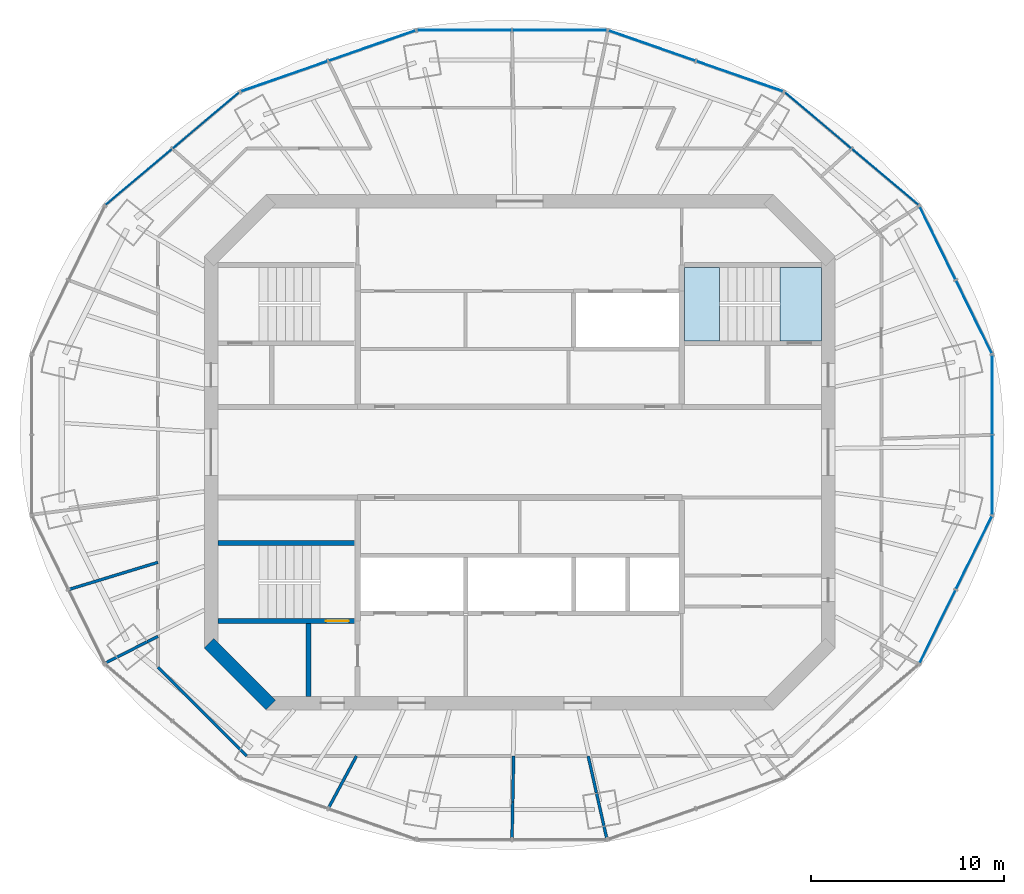
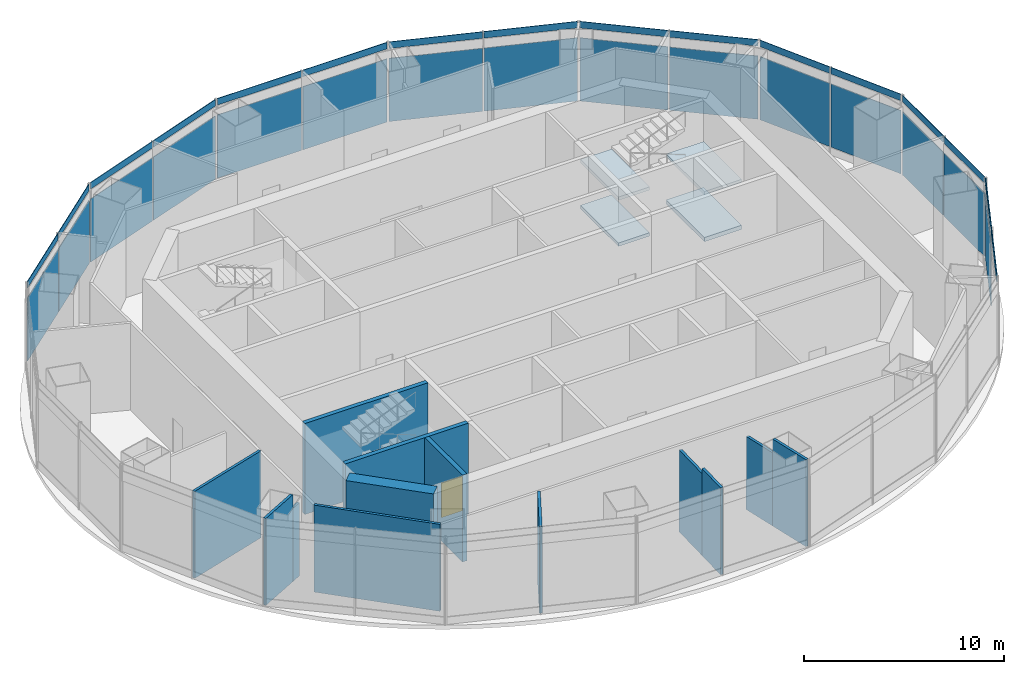
# One storey, part 8 of 13: 31 plates, 13 walls, 4 slabs, 1 door, 1 opening, 17 elements without a shape of their own.
"""IFC4 building model written with IfcOpenShell, lengths in metres."""

from ifc_helpers import new_model, si_unit, direction, frame, frame_2d, origin, origin_2d, place, context, subcontext, project, spatial, polyline, rectangle, outline, extrude, material, layer, layer_set, type_object, element, fill, aggregate, save


model = new_model("IFC4")

# Units and contexts
model_context = context("Model", 3, precision=1e-05, world=origin(), true_north=direction((0.0, 1.0)))
body_context = subcontext(model_context, "Body", "Model", "MODEL_VIEW")
ifc_project = project(units=[si_unit("LENGTHUNIT", "METRE"), si_unit("AREAUNIT", "SQUARE_METRE"), si_unit("VOLUMEUNIT", "CUBIC_METRE"), si_unit("PLANEANGLEUNIT", "RADIAN"), si_unit("MASSUNIT", "GRAM", prefix="KILO")], contexts=[model_context])

# Site, building, storey
site_placement = place(None, origin())
site = spatial("IfcSite", under=ifc_project, at=site_placement, CompositionType="ELEMENT")
building_placement = place(site_placement, origin())
building = spatial("IfcBuilding", under=site, at=building_placement, Name="Marenthal Gate Tower", CompositionType="ELEMENT")
storey_placement = place(building_placement, frame((0.0, 0.0, 401.949951171875)))
storey = spatial("IfcBuildingStorey", under=building, at=storey_placement, Name="L91", CompositionType="ELEMENT", Elevation=401.949951171875)

# Slab
ifc_material_1 = material(Name="Concrete 50 MPa", Category="concrete")
ifc_layer_1 = layer(ifc_material_1, 0.25)
ifc_layer_set_1 = layer_set([ifc_layer_1], Name="Core floor slab 250")
slab_type_1 = type_object("IfcSlabType", Name="Core floor slab 250", PredefinedType="FLOOR", material=ifc_layer_set_1)
slab_1_placement = place(storey_placement, frame((0.0, 0.0, -0.25)))
element("IfcSlab", 1, at=slab_1_placement, inside=storey, type_object=slab_type_1, Name="Core floor L91", PredefinedType="FLOOR", context=body_context, shape_type="SweptSolid", body=[
    extrude(outline(polyline([(15.64990234375, 5.77490234375), (13.5, 5.77490234375), (13.5, 9.574951171875), (15.64990234375, 9.574951171875), (15.64990234375, 5.77490234375)])), origin(), (0.0, 0.0, 1.0), 0.25),
])

# Curtain wall, plates
ifc_material_2 = material(Name="Aluminium and glass", Category="aluminium")
curtain_wall_type_1 = type_object("IfcCurtainWallType", Name="Curtain wall observation", PredefinedType="NOTDEFINED", material=ifc_material_2)
curtain_wall_1_placement = place(storey_placement, origin())
curtain_wall_1 = element("IfcCurtainWall", 2, at=curtain_wall_1_placement, inside=storey, type_object=curtain_wall_type_1, Name="Curtain wall L91 bay 1", PredefinedType="NOTDEFINED")
ifc_material_3 = material(Name="Glass, laminated impact-rated unit", Category="glass")
ifc_layer_2 = layer(ifc_material_3, 0.0400390625)
ifc_layer_set_2 = layer_set([ifc_layer_2], Name="Glass panel 40 observation")
plate_type_1 = type_object("IfcPlateType", Name="Glass panel 40 observation", PredefinedType="CURTAIN_PANEL", material=ifc_layer_set_2)
plate_1_placement = place(storey_placement, frame((23.538330078125, 7.01123046875, 0.449951171875), z_axis=(0.0, 0.0, 1.0), x_axis=(-0.441246798842, 0.897385793576, 0.0)))
plate_1 = element("IfcPlate", 3, at=plate_1_placement, type_object=plate_type_1, Name="Glass panel L91 bay 1.1", PredefinedType="CURTAIN_PANEL", context=body_context, shape_type="SweptSolid", body=[
    extrude(rectangle(XDim=4.194091796875, YDim=0.0400390625, at=origin_2d()), origin(), (0.0, 0.0, 1.0), 3.85009765625),
])
plate_2_placement = place(storey_placement, frame((21.65673828125, 10.837890625, 0.449951171875), z_axis=(0.0, 0.0, 1.0), x_axis=(-0.441246798842, 0.897385793576, 0.0)))
plate_2 = element("IfcPlate", 4, at=plate_2_placement, type_object=plate_type_1, Name="Glass panel L91 bay 1.2", PredefinedType="CURTAIN_PANEL", context=body_context, shape_type="SweptSolid", body=[
    extrude(rectangle(XDim=4.194091796875, YDim=0.0400390625, at=origin_2d()), origin(), (0.0, 0.0, 1.0), 3.85009765625),
])
aggregate(curtain_wall_1, [plate_1, plate_2])

curtain_wall_2_placement = place(storey_placement, origin())
curtain_wall_2 = element("IfcCurtainWall", 5, at=curtain_wall_2_placement, inside=storey, type_object=curtain_wall_type_1, Name="Curtain wall L91 bay 2", PredefinedType="NOTDEFINED")
plate_3_placement = place(storey_placement, frame((18.940673828125, 14.262451171875, 0.449951171875), z_axis=(0.0, 0.0, 1.0), x_axis=(-0.764802142616, 0.644265226944, 0.0)))
plate_3 = element("IfcPlate", 6, at=plate_3_placement, type_object=plate_type_1, Name="Glass panel L91 bay 2.1", PredefinedType="CURTAIN_PANEL", context=body_context, shape_type="SweptSolid", body=[
    extrude(rectangle(XDim=4.477783203125, YDim=0.0400390625, at=origin_2d()), origin(), (0.0, 0.0, 1.0), 3.85009765625),
])
plate_4_placement = place(storey_placement, frame((15.46240234375, 17.1923828125, 0.449951171875), z_axis=(0.0, 0.0, 1.0), x_axis=(-0.764802142616, 0.644265226944, 0.0)))
plate_4 = element("IfcPlate", 7, at=plate_4_placement, type_object=plate_type_1, Name="Glass panel L91 bay 2.2", PredefinedType="CURTAIN_PANEL", context=body_context, shape_type="SweptSolid", body=[
    extrude(rectangle(XDim=4.477783203125, YDim=0.0400390625, at=origin_2d()), origin(), (0.0, 0.0, 1.0), 3.85009765625),
])
aggregate(curtain_wall_2, [plate_3, plate_4])

curtain_wall_3_placement = place(storey_placement, origin())
curtain_wall_3 = element("IfcCurtainWall", 8, at=curtain_wall_3_placement, inside=storey, type_object=curtain_wall_type_1, Name="Curtain wall L91 bay 3", PredefinedType="NOTDEFINED")
plate_5_placement = place(storey_placement, frame((11.39892578125, 19.479736328125, 0.449951171875), z_axis=(0.0, 0.0, 1.0), x_axis=(-0.944171666203, 0.329453888639, 0.0)))
plate_5 = element("IfcPlate", 9, at=plate_5_placement, type_object=plate_type_1, Name="Glass panel L91 bay 3.1", PredefinedType="CURTAIN_PANEL", context=body_context, shape_type="SweptSolid", body=[
    extrude(rectangle(XDim=4.7451171875, YDim=0.0400390625, at=origin_2d()), origin(), (0.0, 0.0, 1.0), 3.85009765625),
])
plate_6_placement = place(storey_placement, frame((6.852783203125, 21.066162109375, 0.449951171875), z_axis=(0.0, 0.0, 1.0), x_axis=(-0.944171666203, 0.329453888639, 0.0)))
plate_6 = element("IfcPlate", 10, at=plate_6_placement, type_object=plate_type_1, Name="Glass panel L91 bay 3.2", PredefinedType="CURTAIN_PANEL", context=body_context, shape_type="SweptSolid", body=[
    extrude(rectangle(XDim=4.7451171875, YDim=0.0400390625, at=origin_2d()), origin(), (0.0, 0.0, 1.0), 3.85009765625),
])
aggregate(curtain_wall_3, [plate_5, plate_6])

curtain_wall_4_placement = place(storey_placement, origin())
curtain_wall_4 = element("IfcCurtainWall", 11, at=curtain_wall_4_placement, inside=storey, type_object=curtain_wall_type_1, Name="Curtain wall L91 bay 4", PredefinedType="NOTDEFINED")
plate_7_placement = place(storey_placement, frame((2.060791015625, 21.869140625, 0.449951171875), z_axis=(0.0, 0.0, 1.0), x_axis=(-1.0, 0.0, 0.0)))
plate_7 = element("IfcPlate", 12, at=plate_7_placement, type_object=plate_type_1, Name="Glass panel L91 bay 4.1", PredefinedType="CURTAIN_PANEL", context=body_context, shape_type="SweptSolid", body=[
    extrude(rectangle(XDim=4.851318359375, YDim=0.0400390625, at=origin_2d()), origin(), (0.0, 0.0, 1.0), 3.85009765625),
])
plate_8_placement = place(storey_placement, frame((-2.860595703125, 21.869140625, 0.449951171875), z_axis=(0.0, 0.0, 1.0), x_axis=(-1.0, 0.0, 0.0)))
plate_8 = element("IfcPlate", 13, at=plate_8_placement, type_object=plate_type_1, Name="Glass panel L91 bay 4.2", PredefinedType="CURTAIN_PANEL", context=body_context, shape_type="SweptSolid", body=[
    extrude(rectangle(XDim=4.851318359375, YDim=0.0400390625, at=origin_2d()), origin(), (0.0, 0.0, 1.0), 3.85009765625),
])
aggregate(curtain_wall_4, [plate_7, plate_8])

curtain_wall_5_placement = place(storey_placement, origin())
curtain_wall_5 = element("IfcCurtainWall", 14, at=curtain_wall_5_placement, inside=storey, type_object=curtain_wall_type_1, Name="Curtain wall L91 bay 5", PredefinedType="NOTDEFINED")
plate_9_placement = place(storey_placement, frame((-7.65283203125, 21.066162109375, 0.449951171875), z_axis=(0.0, 0.0, 1.0), x_axis=(-0.944171666203, -0.329453888639, 0.0)))
plate_9 = element("IfcPlate", 15, at=plate_9_placement, type_object=plate_type_1, Name="Glass panel L91 bay 5.1", PredefinedType="CURTAIN_PANEL", context=body_context, shape_type="SweptSolid", body=[
    extrude(rectangle(XDim=4.7451171875, YDim=0.0400390625, at=origin_2d()), origin(), (0.0, 0.0, 1.0), 3.85009765625),
])
plate_10_placement = place(storey_placement, frame((-12.198974609375, 19.479736328125, 0.449951171875), z_axis=(0.0, 0.0, 1.0), x_axis=(-0.944171666203, -0.329453888639, 0.0)))
plate_10 = element("IfcPlate", 16, at=plate_10_placement, type_object=plate_type_1, Name="Glass panel L91 bay 5.2", PredefinedType="CURTAIN_PANEL", context=body_context, shape_type="SweptSolid", body=[
    extrude(rectangle(XDim=4.7451171875, YDim=0.0400390625, at=origin_2d()), origin(), (0.0, 0.0, 1.0), 3.85009765625),
])
aggregate(curtain_wall_5, [plate_9, plate_10])

curtain_wall_6_placement = place(storey_placement, origin())
curtain_wall_6 = element("IfcCurtainWall", 17, at=curtain_wall_6_placement, inside=storey, type_object=curtain_wall_type_1, Name="Curtain wall L91 bay 6", PredefinedType="NOTDEFINED")
plate_11_placement = place(storey_placement, frame((-16.262451171875, 17.1923828125, 0.449951171875), z_axis=(0.0, 0.0, 1.0), x_axis=(-0.764802142616, -0.644265226944, 0.0)))
plate_11 = element("IfcPlate", 18, at=plate_11_placement, type_object=plate_type_1, Name="Glass panel L91 bay 6.1", PredefinedType="CURTAIN_PANEL", context=body_context, shape_type="SweptSolid", body=[
    extrude(rectangle(XDim=4.477783203125, YDim=0.0400390625, at=origin_2d()), origin(), (0.0, 0.0, 1.0), 3.85009765625),
])
plate_12_placement = place(storey_placement, frame((-19.74072265625, 14.262451171875, 0.449951171875), z_axis=(0.0, 0.0, 1.0), x_axis=(-0.764802142616, -0.644265226944, 0.0)))
plate_12 = element("IfcPlate", 19, at=plate_12_placement, type_object=plate_type_1, Name="Glass panel L91 bay 6.2", PredefinedType="CURTAIN_PANEL", context=body_context, shape_type="SweptSolid", body=[
    extrude(rectangle(XDim=4.477783203125, YDim=0.0400390625, at=origin_2d()), origin(), (0.0, 0.0, 1.0), 3.85009765625),
])
aggregate(curtain_wall_6, [plate_11, plate_12])

# Curtain wall, plate
curtain_wall_7_placement = place(storey_placement, origin())
curtain_wall_7 = element("IfcCurtainWall", 20, at=curtain_wall_7_placement, inside=storey, type_object=curtain_wall_type_1, Name="Curtain wall L91 bay 15", PredefinedType="NOTDEFINED")
plate_13_placement = place(storey_placement, frame((23.538330078125, -5.211181640625, 0.449951171875), z_axis=(0.0, 0.0, 1.0), x_axis=(0.441246798842, 0.897385793576, 0.0)))
plate_13 = element("IfcPlate", 21, at=plate_13_placement, type_object=plate_type_1, Name="Glass panel L91 bay 15.2", PredefinedType="CURTAIN_PANEL", context=body_context, shape_type="SweptSolid", body=[
    extrude(rectangle(XDim=4.194091796875, YDim=0.0400390625, at=origin_2d()), origin(), (0.0, 0.0, 1.0), 3.85009765625),
])
aggregate(curtain_wall_7, [plate_13])

# Curtain wall, plates
curtain_wall_8_placement = place(storey_placement, origin())
curtain_wall_8 = element("IfcCurtainWall", 22, at=curtain_wall_8_placement, inside=storey, type_object=curtain_wall_type_1, Name="Curtain wall L91 bay 16", PredefinedType="NOTDEFINED")
plate_14_placement = place(storey_placement, frame((24.4921875, -1.17041015625, 0.449951171875), z_axis=(0.0, 0.0, 1.0), x_axis=(0.0, 1.0, 0.0)))
plate_14 = element("IfcPlate", 23, at=plate_14_placement, type_object=plate_type_1, Name="Glass panel L91 bay 16.1", PredefinedType="CURTAIN_PANEL", context=body_context, shape_type="SweptSolid", body=[
    extrude(rectangle(XDim=4.071044921875, YDim=0.0400390625, at=origin_2d()), origin(), (0.0, 0.0, 1.0), 3.85009765625),
])
plate_15_placement = place(storey_placement, frame((24.4921875, 2.970458984375, 0.449951171875), z_axis=(0.0, 0.0, 1.0), x_axis=(0.0, 1.0, 0.0)))
plate_15 = element("IfcPlate", 24, at=plate_15_placement, type_object=plate_type_1, Name="Glass panel L91 bay 16.2", PredefinedType="CURTAIN_PANEL", context=body_context, shape_type="SweptSolid", body=[
    extrude(rectangle(XDim=4.071044921875, YDim=0.0400390625, at=origin_2d()), origin(), (0.0, 0.0, 1.0), 3.85009765625),
])
aggregate(curtain_wall_8, [plate_14, plate_15])

# Stair, slabs
ifc_material_4 = material(Name="Concrete 40 MPa", Category="concrete")
stair_type = type_object("IfcStairType", Name="Exit stair 1800", PredefinedType="HALF_TURN_STAIR", material=ifc_material_4)
stair_placement = place(storey_placement, origin())
stair = element("IfcStair", 25, at=stair_placement, inside=storey, type_object=stair_type, Name="Stair ST3", PredefinedType="HALF_TURN_STAIR")
ifc_material_5 = material(Name="Concrete 40 MPa", Category="concrete")
ifc_layer_3 = layer(ifc_material_5, 0.199951171875)
ifc_layer_set_3 = layer_set([ifc_layer_3], Name="Stair landing 200")
slab_type_2 = type_object("IfcSlabType", Name="Stair landing 200", PredefinedType="LANDING", material=ifc_layer_set_3)
slab_2_placement = place(storey_placement, frame((0.0, 0.0, 1.199951171875)))
slab_2 = element("IfcSlab", 26, at=slab_2_placement, type_object=slab_type_2, Name="ST3 landing 1", PredefinedType="LANDING", context=body_context, shape_type="SweptSolid", body=[
    extrude(outline(polyline([(8.550048828125, 5.77490234375), (10.35009765625, 5.77490234375), (10.35009765625, 9.574951171875), (8.550048828125, 9.574951171875), (8.550048828125, 5.77490234375)])), origin(), (0.0, 0.0, 1.0), 0.2001953125),
])
slab_3_placement = place(storey_placement, frame((0.0, 0.0, 2.60009765625)))
slab_3 = element("IfcSlab", 27, at=slab_3_placement, type_object=slab_type_2, Name="ST3 landing 2", PredefinedType="LANDING", context=body_context, shape_type="SweptSolid", body=[
    extrude(outline(polyline([(13.5, 5.77490234375), (15.64990234375, 5.77490234375), (15.64990234375, 9.574951171875), (13.5, 9.574951171875), (13.5, 5.77490234375)])), origin(), (0.0, 0.0, 1.0), 0.199951171875),
])
slab_4_placement = place(storey_placement, frame((0.0, 0.0, 4.0)))
slab_4 = element("IfcSlab", 28, at=slab_4_placement, type_object=slab_type_2, Name="ST3 landing 3", PredefinedType="LANDING", context=body_context, shape_type="SweptSolid", body=[
    extrude(outline(polyline([(8.550048828125, 5.77490234375), (10.35009765625, 5.77490234375), (10.35009765625, 9.574951171875), (8.550048828125, 9.574951171875), (8.550048828125, 5.77490234375)])), origin(), (0.0, 0.0, 1.0), 0.199951171875),
])
aggregate(stair, [slab_2, slab_3, slab_4])

# Curtain wall, plates
ifc_material_6 = material(Name="Aluminium and glass", Category="aluminium")
curtain_wall_type_2 = type_object("IfcCurtainWallType", Name="Curtain wall crown clad", PredefinedType="NOTDEFINED", material=ifc_material_6)
curtain_wall_9_placement = place(storey_placement, origin())
curtain_wall_9 = element("IfcCurtainWall", 29, at=curtain_wall_9_placement, inside=storey, type_object=curtain_wall_type_2, Name="Curtain wall L91 bay 1 head band", PredefinedType="NOTDEFINED")
ifc_material_7 = material(Name="Terracotta cladding panel", Category="masonry")
ifc_layer_4 = layer(ifc_material_7, 0.031982421875)
ifc_layer_set_4 = layer_set([ifc_layer_4], Name="Terracotta panel 32 crown clad")
plate_type_2 = type_object("IfcPlateType", Name="Terracotta panel 32 crown clad", PredefinedType="CURTAIN_PANEL", material=ifc_layer_set_4)
plate_16_placement = place(storey_placement, frame((23.538330078125, 7.01123046875, 4.900146484375), z_axis=(0.0, 0.0, 1.0), x_axis=(-0.441246798842, 0.897385793576, 0.0)))
plate_16 = element("IfcPlate", 30, at=plate_16_placement, type_object=plate_type_2, Name="Terracotta panel L91 bay 1.1 head band", PredefinedType="CURTAIN_PANEL", context=body_context, shape_type="SweptSolid", body=[
    extrude(rectangle(XDim=4.2041015625, YDim=0.031982421875, at=origin_2d()), origin(), (0.0, 0.0, 1.0), 0.39990234375),
])
plate_17_placement = place(storey_placement, frame((21.65673828125, 10.837890625, 4.900146484375), z_axis=(0.0, 0.0, 1.0), x_axis=(-0.441246798842, 0.897385793576, 0.0)))
plate_17 = element("IfcPlate", 31, at=plate_17_placement, type_object=plate_type_2, Name="Terracotta panel L91 bay 1.2 head band", PredefinedType="CURTAIN_PANEL", context=body_context, shape_type="SweptSolid", body=[
    extrude(rectangle(XDim=4.2041015625, YDim=0.031982421875, at=origin_2d()), origin(), (0.0, 0.0, 1.0), 0.39990234375),
])
aggregate(curtain_wall_9, [plate_16, plate_17])

curtain_wall_10_placement = place(storey_placement, origin())
curtain_wall_10 = element("IfcCurtainWall", 32, at=curtain_wall_10_placement, inside=storey, type_object=curtain_wall_type_2, Name="Curtain wall L91 bay 2 head band", PredefinedType="NOTDEFINED")
plate_18_placement = place(storey_placement, frame((18.940673828125, 14.262451171875, 4.900146484375), z_axis=(0.0, 0.0, 1.0), x_axis=(-0.764802142616, 0.644265226944, 0.0)))
plate_18 = element("IfcPlate", 33, at=plate_18_placement, type_object=plate_type_2, Name="Terracotta panel L91 bay 2.1 head band", PredefinedType="CURTAIN_PANEL", context=body_context, shape_type="SweptSolid", body=[
    extrude(rectangle(XDim=4.48779296875, YDim=0.031982421875, at=origin_2d()), origin(), (0.0, 0.0, 1.0), 0.39990234375),
])
plate_19_placement = place(storey_placement, frame((15.46240234375, 17.1923828125, 4.900146484375), z_axis=(0.0, 0.0, 1.0), x_axis=(-0.764802142616, 0.644265226944, 0.0)))
plate_19 = element("IfcPlate", 34, at=plate_19_placement, type_object=plate_type_2, Name="Terracotta panel L91 bay 2.2 head band", PredefinedType="CURTAIN_PANEL", context=body_context, shape_type="SweptSolid", body=[
    extrude(rectangle(XDim=4.48779296875, YDim=0.031982421875, at=origin_2d()), origin(), (0.0, 0.0, 1.0), 0.39990234375),
])
aggregate(curtain_wall_10, [plate_18, plate_19])

curtain_wall_11_placement = place(storey_placement, origin())
curtain_wall_11 = element("IfcCurtainWall", 35, at=curtain_wall_11_placement, inside=storey, type_object=curtain_wall_type_2, Name="Curtain wall L91 bay 3 head band", PredefinedType="NOTDEFINED")
plate_20_placement = place(storey_placement, frame((11.39892578125, 19.479736328125, 4.900146484375), z_axis=(0.0, 0.0, 1.0), x_axis=(-0.944171666203, 0.329453888639, 0.0)))
plate_20 = element("IfcPlate", 36, at=plate_20_placement, type_object=plate_type_2, Name="Terracotta panel L91 bay 3.1 head band", PredefinedType="CURTAIN_PANEL", context=body_context, shape_type="SweptSolid", body=[
    extrude(rectangle(XDim=4.7548828125, YDim=0.031982421875, at=origin_2d()), origin(), (0.0, 0.0, 1.0), 0.39990234375),
])
plate_21_placement = place(storey_placement, frame((6.852783203125, 21.066162109375, 4.900146484375), z_axis=(0.0, 0.0, 1.0), x_axis=(-0.944171666203, 0.329453888639, 0.0)))
plate_21 = element("IfcPlate", 37, at=plate_21_placement, type_object=plate_type_2, Name="Terracotta panel L91 bay 3.2 head band", PredefinedType="CURTAIN_PANEL", context=body_context, shape_type="SweptSolid", body=[
    extrude(rectangle(XDim=4.7548828125, YDim=0.031982421875, at=origin_2d()), origin(), (0.0, 0.0, 1.0), 0.39990234375),
])
aggregate(curtain_wall_11, [plate_20, plate_21])

curtain_wall_12_placement = place(storey_placement, origin())
curtain_wall_12 = element("IfcCurtainWall", 38, at=curtain_wall_12_placement, inside=storey, type_object=curtain_wall_type_2, Name="Curtain wall L91 bay 4 head band", PredefinedType="NOTDEFINED")
plate_22_placement = place(storey_placement, frame((2.060791015625, 21.869140625, 4.900146484375), z_axis=(0.0, 0.0, 1.0), x_axis=(-1.0, 0.0, 0.0)))
plate_22 = element("IfcPlate", 39, at=plate_22_placement, type_object=plate_type_2, Name="Terracotta panel L91 bay 4.1 head band", PredefinedType="CURTAIN_PANEL", context=body_context, shape_type="SweptSolid", body=[
    extrude(rectangle(XDim=4.861328125, YDim=0.031982421875, at=origin_2d()), origin(), (0.0, 0.0, 1.0), 0.39990234375),
])
plate_23_placement = place(storey_placement, frame((-2.860595703125, 21.869140625, 4.900146484375), z_axis=(0.0, 0.0, 1.0), x_axis=(-1.0, 0.0, 0.0)))
plate_23 = element("IfcPlate", 40, at=plate_23_placement, type_object=plate_type_2, Name="Terracotta panel L91 bay 4.2 head band", PredefinedType="CURTAIN_PANEL", context=body_context, shape_type="SweptSolid", body=[
    extrude(rectangle(XDim=4.861328125, YDim=0.031982421875, at=origin_2d()), origin(), (0.0, 0.0, 1.0), 0.39990234375),
])
aggregate(curtain_wall_12, [plate_22, plate_23])

curtain_wall_13_placement = place(storey_placement, origin())
curtain_wall_13 = element("IfcCurtainWall", 41, at=curtain_wall_13_placement, inside=storey, type_object=curtain_wall_type_2, Name="Curtain wall L91 bay 5 head band", PredefinedType="NOTDEFINED")
plate_24_placement = place(storey_placement, frame((-7.65283203125, 21.066162109375, 4.900146484375), z_axis=(0.0, 0.0, 1.0), x_axis=(-0.944171666203, -0.329453888639, 0.0)))
plate_24 = element("IfcPlate", 42, at=plate_24_placement, type_object=plate_type_2, Name="Terracotta panel L91 bay 5.1 head band", PredefinedType="CURTAIN_PANEL", context=body_context, shape_type="SweptSolid", body=[
    extrude(rectangle(XDim=4.7548828125, YDim=0.031982421875, at=origin_2d()), origin(), (0.0, 0.0, 1.0), 0.39990234375),
])
plate_25_placement = place(storey_placement, frame((-12.198974609375, 19.479736328125, 4.900146484375), z_axis=(0.0, 0.0, 1.0), x_axis=(-0.944171666203, -0.329453888639, 0.0)))
plate_25 = element("IfcPlate", 43, at=plate_25_placement, type_object=plate_type_2, Name="Terracotta panel L91 bay 5.2 head band", PredefinedType="CURTAIN_PANEL", context=body_context, shape_type="SweptSolid", body=[
    extrude(rectangle(XDim=4.7548828125, YDim=0.031982421875, at=origin_2d()), origin(), (0.0, 0.0, 1.0), 0.39990234375),
])
aggregate(curtain_wall_13, [plate_24, plate_25])

curtain_wall_14_placement = place(storey_placement, origin())
curtain_wall_14 = element("IfcCurtainWall", 44, at=curtain_wall_14_placement, inside=storey, type_object=curtain_wall_type_2, Name="Curtain wall L91 bay 6 head band", PredefinedType="NOTDEFINED")
plate_26_placement = place(storey_placement, frame((-16.262451171875, 17.1923828125, 4.900146484375), z_axis=(0.0, 0.0, 1.0), x_axis=(-0.764802142616, -0.644265226944, 0.0)))
plate_26 = element("IfcPlate", 45, at=plate_26_placement, type_object=plate_type_2, Name="Terracotta panel L91 bay 6.1 head band", PredefinedType="CURTAIN_PANEL", context=body_context, shape_type="SweptSolid", body=[
    extrude(rectangle(XDim=4.48779296875, YDim=0.031982421875, at=origin_2d()), origin(), (0.0, 0.0, 1.0), 0.39990234375),
])
plate_27_placement = place(storey_placement, frame((-19.74072265625, 14.262451171875, 4.900146484375), z_axis=(0.0, 0.0, 1.0), x_axis=(-0.764802142616, -0.644265226944, 0.0)))
plate_27 = element("IfcPlate", 46, at=plate_27_placement, type_object=plate_type_2, Name="Terracotta panel L91 bay 6.2 head band", PredefinedType="CURTAIN_PANEL", context=body_context, shape_type="SweptSolid", body=[
    extrude(rectangle(XDim=4.48779296875, YDim=0.031982421875, at=origin_2d()), origin(), (0.0, 0.0, 1.0), 0.39990234375),
])
aggregate(curtain_wall_14, [plate_26, plate_27])

curtain_wall_15_placement = place(storey_placement, origin())
curtain_wall_15 = element("IfcCurtainWall", 47, at=curtain_wall_15_placement, inside=storey, type_object=curtain_wall_type_2, Name="Curtain wall L91 bay 15 head band", PredefinedType="NOTDEFINED")
plate_28_placement = place(storey_placement, frame((21.65673828125, -9.037841796875, 4.900146484375), z_axis=(0.0, 0.0, 1.0), x_axis=(0.441246798842, 0.897385793576, 0.0)))
plate_28 = element("IfcPlate", 48, at=plate_28_placement, type_object=plate_type_2, Name="Terracotta panel L91 bay 15.1 head band", PredefinedType="CURTAIN_PANEL", context=body_context, shape_type="SweptSolid", body=[
    extrude(rectangle(XDim=4.2041015625, YDim=0.031982421875, at=origin_2d()), origin(), (0.0, 0.0, 1.0), 0.39990234375),
])
plate_29_placement = place(storey_placement, frame((23.538330078125, -5.211181640625, 4.900146484375), z_axis=(0.0, 0.0, 1.0), x_axis=(0.441246798842, 0.897385793576, 0.0)))
plate_29 = element("IfcPlate", 49, at=plate_29_placement, type_object=plate_type_2, Name="Terracotta panel L91 bay 15.2 head band", PredefinedType="CURTAIN_PANEL", context=body_context, shape_type="SweptSolid", body=[
    extrude(rectangle(XDim=4.2041015625, YDim=0.031982421875, at=origin_2d()), origin(), (0.0, 0.0, 1.0), 0.39990234375),
])
aggregate(curtain_wall_15, [plate_28, plate_29])

curtain_wall_16_placement = place(storey_placement, origin())
curtain_wall_16 = element("IfcCurtainWall", 50, at=curtain_wall_16_placement, inside=storey, type_object=curtain_wall_type_2, Name="Curtain wall L91 bay 16 head band", PredefinedType="NOTDEFINED")
plate_30_placement = place(storey_placement, frame((24.4921875, -1.17041015625, 4.900146484375), z_axis=(0.0, 0.0, 1.0), x_axis=(0.0, 1.0, 0.0)))
plate_30 = element("IfcPlate", 51, at=plate_30_placement, type_object=plate_type_2, Name="Terracotta panel L91 bay 16.1 head band", PredefinedType="CURTAIN_PANEL", context=body_context, shape_type="SweptSolid", body=[
    extrude(rectangle(XDim=4.0810546875, YDim=0.031982421875, at=origin_2d()), origin(), (0.0, 0.0, 1.0), 0.39990234375),
])
plate_31_placement = place(storey_placement, frame((24.4921875, 2.970458984375, 4.900146484375), z_axis=(0.0, 0.0, 1.0), x_axis=(0.0, 1.0, 0.0)))
plate_31 = element("IfcPlate", 52, at=plate_31_placement, type_object=plate_type_2, Name="Terracotta panel L91 bay 16.2 head band", PredefinedType="CURTAIN_PANEL", context=body_context, shape_type="SweptSolid", body=[
    extrude(rectangle(XDim=4.0810546875, YDim=0.031982421875, at=origin_2d()), origin(), (0.0, 0.0, 1.0), 0.39990234375),
])
aggregate(curtain_wall_16, [plate_30, plate_31])

# Walls
ifc_material_8 = material(Name="Concrete 60 MPa", Category="concrete")
ifc_layer_5 = layer(ifc_material_8, 0.699951171875)
ifc_layer_set_5 = layer_set([ifc_layer_5], Name="Core shear wall 700")
wall_type_1 = type_object("IfcWallType", Name="Core shear wall 700", PredefinedType="SHEAR", material=ifc_layer_set_5)
wall_1_placement = place(storey_placement, frame((-16.1025390625, -9.8974609375, -0.25), z_axis=(0.0, 0.0, 1.0), x_axis=(0.707106781187, -0.707106781187, 0.0)))
element("IfcWall", 53, at=wall_1_placement, inside=storey, type_object=wall_type_1, Name="Core wall 07", PredefinedType="SHEAR", context=body_context, shape_type="SweptSolid", body=[
    extrude(rectangle(XDim=4.53271484375, YDim=0.699951171875, at=frame_2d((2.266357421875, 0.0))), origin(), (0.0, 0.0, 1.0), 5.550048828125),
])
ifc_material_9 = material(Name="Gypsum board on steel studs", Category="steel")
ifc_layer_6 = layer(ifc_material_9, 0.14990234375)
ifc_layer_set_6 = layer_set([ifc_layer_6], Name="Partition 150")
wall_type_2 = type_object("IfcWallType", Name="Partition 150", PredefinedType="PARTITIONING", material=ifc_layer_set_6)
wall_2_placement = place(storey_placement, frame((-23.378173828125, -7.11865234375, 0.0), z_axis=(0.0, 0.0, 1.0), x_axis=(0.956639037961, 0.291276073594, 0.0)))
element("IfcWall", 54, at=wall_2_placement, inside=storey, type_object=wall_type_2, Name="Partition wall 56", PredefinedType="PARTITIONING", context=body_context, shape_type="SweptSolid", body=[
    extrude(rectangle(XDim=4.837890625, YDim=0.14990234375, at=frame_2d((2.4189453125, 0.0))), origin(), (0.0, 0.0, 1.0), 5.300048828125),
])
wall_3_placement = place(storey_placement, frame((-21.498046875, -10.942138671875, 0.0), z_axis=(0.0, 0.0, 1.0), x_axis=(0.891199467995, 0.453611627106, 0.0)))
element("IfcWall", 55, at=wall_3_placement, inside=storey, type_object=wall_type_2, Name="Partition wall 57", PredefinedType="PARTITIONING", context=body_context, shape_type="SweptSolid", body=[
    extrude(rectangle(XDim=2.46826171875, YDim=0.14990234375, at=frame_2d((1.234130859375, 0.0))), origin(), (0.0, 0.0, 1.0), 5.300048828125),
])
wall_4_placement = place(storey_placement, frame((-19.29833984375, -9.822509765625, 0.0), z_axis=(0.0, 0.0, 1.0), x_axis=(0.891230195432, 0.453551252617, 0.0)))
element("IfcWall", 56, at=wall_4_placement, inside=storey, type_object=wall_type_2, Name="Partition wall 82", PredefinedType="PARTITIONING", context=body_context, shape_type="SweptSolid", body=[
    extrude(rectangle(XDim=0.615234375, YDim=0.14990234375, at=frame_2d((0.3076171875, 0.0))), origin(), (0.0, 0.0, 1.0), 4.458984375),
])
wall_5_placement = place(storey_placement, frame((-9.916259765625, -18.455078125, 0.0), z_axis=(0.0, 0.0, 1.0), x_axis=(0.473288897356, 0.880907270738, 0.0)))
element("IfcWall", 57, at=wall_5_placement, inside=storey, type_object=wall_type_2, Name="Partition wall 61", PredefinedType="PARTITIONING", context=body_context, shape_type="SweptSolid", body=[
    extrude(rectangle(XDim=3.07080078125, YDim=0.14990234375, at=frame_2d((1.535400390625, 0.0))), origin(), (0.0, 0.0, 1.0), 5.300048828125),
])
wall_6_placement = place(storey_placement, frame((-0.399658203125, -20.04931640625, 0.0), z_axis=(0.0, 0.0, 1.0), x_axis=(0.019993471392, 0.999800110573, 0.0)))
element("IfcWall", 58, at=wall_6_placement, inside=storey, type_object=wall_type_2, Name="Partition wall 62", PredefinedType="PARTITIONING", context=body_context, shape_type="SweptSolid", body=[
    extrude(rectangle(XDim=1.929443359375, YDim=0.14990234375, at=frame_2d((0.96484375, 0.0))), origin(), (0.0, 0.0, 1.0), 5.300048828125),
])
wall_7_placement = place(storey_placement, frame((-0.361083984375, -18.120361328125, 0.0), z_axis=(0.0, 0.0, 1.0), x_axis=(0.019874536925, 0.999802481884, 0.0)))
element("IfcWall", 59, at=wall_7_placement, inside=storey, type_object=wall_type_2, Name="Partition wall 83", PredefinedType="PARTITIONING", context=body_context, shape_type="SweptSolid", body=[
    extrude(rectangle(XDim=2.370849609375, YDim=0.14990234375, at=frame_2d((1.185546875, 0.0))), origin(), (0.0, 0.0, 1.0), 4.989990234375),
])
wall_8_placement = place(storey_placement, frame((4.516845703125, -20.04931640625, 0.0), z_axis=(0.0, 0.0, 1.0), x_axis=(-0.219784451293, 0.975548458545, 0.0)))
element("IfcWall", 60, at=wall_8_placement, inside=storey, type_object=wall_type_2, Name="Partition wall 65", PredefinedType="PARTITIONING", context=body_context, shape_type="SweptSolid", body=[
    extrude(rectangle(XDim=2.453857421875, YDim=0.14990234375, at=frame_2d((1.22705078125, 0.0))), origin(), (0.0, 0.0, 1.0), 5.300048828125),
])
wall_9_placement = place(storey_placement, frame((3.9775390625, -17.655517578125, 0.0), z_axis=(0.0, 0.0, 1.0), x_axis=(-0.219735255916, 0.975559540627, 0.0)))
element("IfcWall", 61, at=wall_9_placement, inside=storey, type_object=wall_type_2, Name="Partition wall 84", PredefinedType="PARTITIONING", context=body_context, shape_type="SweptSolid", body=[
    extrude(rectangle(XDim=1.953369140625, YDim=0.14990234375, at=frame_2d((0.9765625, 0.0))), origin(), (0.0, 0.0, 1.0), 4.458984375),
])
wall_10_placement = place(storey_placement, frame((-14.13916015625, -15.75, 0.0), z_axis=(0.0, 0.0, 1.0), x_axis=(-0.707106781187, 0.707106781187, 0.0)))
element("IfcWall", 62, at=wall_10_placement, inside=storey, type_object=wall_type_2, Name="Partition wall 69", PredefinedType="PARTITIONING", context=body_context, shape_type="SweptSolid", body=[
    extrude(rectangle(XDim=6.520751953125, YDim=0.14990234375, at=frame_2d((3.26025390625, 0.0))), origin(), (0.0, 0.0, 1.0), 5.300048828125),
])
ifc_material_10 = material(Name="Concrete 40 MPa", Category="concrete")
ifc_layer_7 = layer(ifc_material_10, 0.25)
ifc_layer_set_7 = layer_set([ifc_layer_7], Name="Stair enclosure wall 250")
wall_type_3 = type_object("IfcWallType", Name="Stair enclosure wall 250", PredefinedType="STANDARD", material=ifc_layer_set_7)
wall_11_placement = place(storey_placement, frame((-10.949951171875, -12.64990234375, 0.0), z_axis=(0.0, 0.0, 1.0), x_axis=(0.0, 1.0, 0.0)))
element("IfcWall", 63, at=wall_11_placement, inside=storey, type_object=wall_type_3, Name="Stair wall 31", PredefinedType="STANDARD", context=body_context, shape_type="SweptSolid", body=[
    extrude(rectangle(XDim=3.77490234375, YDim=0.25, at=frame_2d((1.887451171875, 0.0))), origin(), (0.0, 0.0, 1.0), 5.300048828125),
])

# Wall, opening, door
ifc_material_11 = material(Name="Concrete 50 MPa", Category="concrete")
ifc_layer_8 = layer(ifc_material_11, 0.25)
ifc_layer_set_8 = layer_set([ifc_layer_8], Name="Stair shear wall 250")
wall_type_4 = type_object("IfcWallType", Name="Stair shear wall 250", PredefinedType="SHEAR", material=ifc_layer_set_8)
wall_12_placement = place(storey_placement, frame((-15.64990234375, -8.75, -0.25), z_axis=(0.0, 0.0, 1.0), x_axis=(1.0, 0.0, 0.0)))
wall_12 = element("IfcWall", 64, at=wall_12_placement, inside=storey, type_object=wall_type_4, Name="Stair wall 09", PredefinedType="SHEAR", context=body_context, shape_type="SweptSolid", body=[
    extrude(rectangle(XDim=7.099853515625, YDim=0.25, at=frame_2d((3.5498046875, 0.0))), origin(), (0.0, 0.0, 1.0), 5.550048828125),
])
opening_placement = place(wall_12_placement, frame((5.60009765625, 0.0, 0.25)))
opening = element("IfcOpeningElement", 65, at=opening_placement, cuts=wall_12, Name="Opening D001.03", PredefinedType="OPENING", context=body_context, shape_type="SweptSolid", body=[
    extrude(rectangle(XDim=1.199951171875, YDim=2.10009765625, at=frame_2d((0.60009765625, 1.050048828125))), frame((0.0, 0.135009765625, 0.0), z_axis=(0.0, -1.0, 0.0), x_axis=(1.0, 0.0, 0.0)), (0.0, 0.0, 1.0), 0.27001953125),
])
ifc_material_12 = material(Name="Steel fire door", Category="steel")
door_type = type_object("IfcDoorType", Name="Fire door FD 90 1200 x 2100", OperationType="NOTDEFINED", PredefinedType="DOOR", material=ifc_material_12)
door_placement = place(opening_placement, origin())
door = element("IfcDoor", 66, at=door_placement, inside=storey, type_object=door_type, Name="Door D001.03", OperationType="SINGLE_SWING_RIGHT", OverallHeight=2.10009765625, OverallWidth=1.199951171875, PredefinedType="DOOR", context=body_context, shape_type="SweptSolid", body=[
    extrude(rectangle(XDim=1.199951171875, YDim=2.10009765625, at=frame_2d((0.60009765625, 1.050048828125))), frame((0.0, 0.02490234375, 0.0), z_axis=(0.0, -1.0, 0.0), x_axis=(1.0, 0.0, 0.0)), (0.0, 0.0, 1.0), 0.050048828125),
])
fill(opening, door)

# Wall
wall_13_placement = place(storey_placement, frame((-15.64990234375, -4.699951171875, -0.25), z_axis=(0.0, 0.0, 1.0), x_axis=(1.0, 0.0, 0.0)))
element("IfcWall", 67, at=wall_13_placement, inside=storey, type_object=wall_type_4, Name="Stair wall 15", PredefinedType="SHEAR", context=body_context, shape_type="SweptSolid", body=[
    extrude(rectangle(XDim=7.099853515625, YDim=0.25, at=frame_2d((3.5498046875, 0.0))), origin(), (0.0, 0.0, 1.0), 5.550048828125),
])

save(model, "model.ifc")
